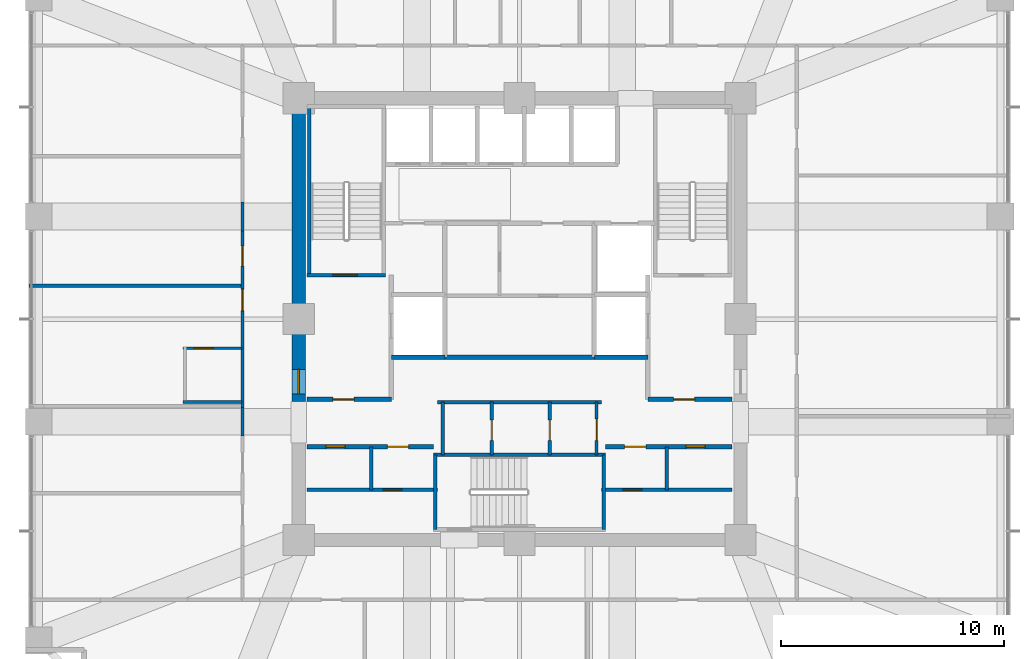
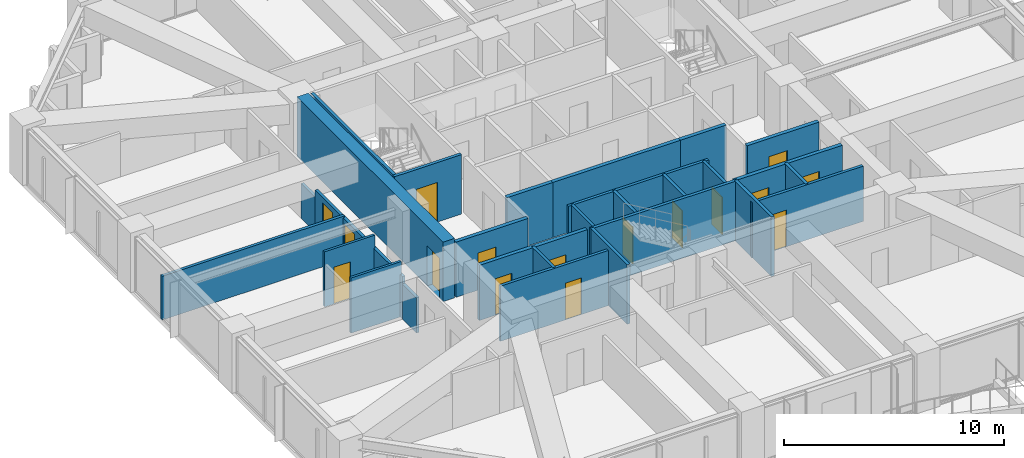
# One storey, part 33 of 37: 28 walls, 16 doors, 16 openings.
"""IFC4 building model written with IfcOpenShell, lengths in metres."""

from ifc_helpers import new_model, si_unit, direction, frame, frame_2d, origin, place, context, subcontext, project, spatial, rectangle, extrude, material, layer, layer_set, type_object, element, fill, save


model = new_model("IFC4")

# Units and contexts
model_context = context("Model", 3, precision=1e-05, world=origin(), true_north=direction((0.0, 1.0)))
body_context = subcontext(model_context, "Body", "Model", "MODEL_VIEW")
ifc_project = project(units=[si_unit("LENGTHUNIT", "METRE"), si_unit("AREAUNIT", "SQUARE_METRE"), si_unit("VOLUMEUNIT", "CUBIC_METRE"), si_unit("PLANEANGLEUNIT", "RADIAN"), si_unit("MASSUNIT", "GRAM", prefix="KILO")], contexts=[model_context])

# Site, building, storey
site_placement = place(None, origin())
site = spatial("IfcSite", under=ifc_project, at=site_placement, CompositionType="ELEMENT")
building_placement = place(site_placement, origin())
building = spatial("IfcBuilding", under=site, at=building_placement, Name="Kolvaren Belvedere", CompositionType="ELEMENT")
storey_placement = place(building_placement, frame((0.0, 0.0, 37.0)))
storey = spatial("IfcBuildingStorey", under=building, at=storey_placement, Name="L10", CompositionType="ELEMENT", Elevation=37.0)

# Wall, opening, door
ifc_material_1 = material(Name="Concrete C60/75", Category="concrete")
ifc_layer_1 = layer(ifc_material_1, 0.60009765625)
ifc_layer_set_1 = layer_set([ifc_layer_1], Name="Concrete C60/75")
wall_type_1 = type_object("IfcWallType", Name="CW-CORE-600", PredefinedType="SHEAR", material=ifc_layer_set_1)
wall_1_placement = place(storey_placement, frame((-9.89990234375, -3.699951171875, 0.0), z_axis=(0.0, 0.0, 1.0), x_axis=(0.0, 1.0, 0.0)))
wall_1 = element("IfcWall", 1, at=wall_1_placement, inside=storey, type_object=wall_type_1, Name="L10 West Core Shear Wall 2", PredefinedType="SHEAR", context=body_context, shape_type="SweptSolid", body=[
    extrude(rectangle(XDim=13.300048828125, YDim=0.60009765625, at=frame_2d((6.64990234375, 0.0))), origin(), (0.0, 0.0, 1.0), 3.300048828125),
])
opening_1_placement = place(wall_1_placement, frame((0.35009765625, 0.0, 0.0)))
opening_1 = element("IfcOpeningElement", 2, at=opening_1_placement, cuts=wall_1, Name="Opening D-FD90", PredefinedType="OPENING", context=body_context, shape_type="SweptSolid", body=[
    extrude(rectangle(XDim=1.10009765625, YDim=2.199951171875, at=frame_2d((0.550048828125, 1.10009765625))), frame((0.0, 0.31005859375, 0.0), z_axis=(0.0, -1.0, 0.0), x_axis=(1.0, 0.0, 0.0)), (0.0, 0.0, 1.0), 0.6201171875),
])
ifc_material_2 = material(Name="Painted hollow stainless steel", Category="steel")
door_type_1 = type_object("IfcDoorType", Name="DR-FD90-1100", OperationType="NOTDEFINED", PredefinedType="DOOR", material=ifc_material_2)
door_1_placement = place(opening_1_placement, origin())
door_1 = element("IfcDoor", 3, at=door_1_placement, inside=storey, type_object=door_type_1, Name="L10 West Firefighting Lobby Fire Door", OperationType="SINGLE_SWING_LEFT", OverallHeight=2.199951171875, OverallWidth=1.10009765625, PredefinedType="DOOR", context=body_context, shape_type="SweptSolid", body=[
    extrude(rectangle(XDim=1.10009765625, YDim=2.199951171875, at=frame_2d((0.550048828125, 1.10009765625))), frame((0.0, 0.02490234375, 0.0), z_axis=(0.0, -1.0, 0.0), x_axis=(1.0, 0.0, 0.0)), (0.0, 0.0, 1.0), 0.050048828125),
])
fill(opening_1, door_1)

ifc_material_3 = material(Name="Concrete C50/60", Category="concrete")
ifc_layer_2 = layer(ifc_material_3, 0.159912109375)
ifc_layer_set_2 = layer_set([ifc_layer_2], Name="Concrete C50/60")
wall_type_2 = type_object("IfcWallType", Name="CW-STAIR-160", PredefinedType="SHEAR", material=ifc_layer_set_2)
wall_2_placement = place(storey_placement, frame((-9.52001953125, 1.969970703125, 0.0), z_axis=(0.0, 0.0, 1.0), x_axis=(1.0, 0.0, 0.0)))
wall_2 = element("IfcWall", 4, at=wall_2_placement, inside=storey, type_object=wall_type_2, Name="L10 Stair ST-1 South Shear Wall", PredefinedType="SHEAR", context=body_context, shape_type="SweptSolid", body=[
    extrude(rectangle(XDim=3.52001953125, YDim=0.159912109375, at=frame_2d((1.760009765625, 0.0))), origin(), (0.0, 0.0, 1.0), 3.300048828125),
])
opening_2_placement = place(wall_2_placement, frame((1.14990234375, 0.0, 0.0)))
opening_2 = element("IfcOpeningElement", 5, at=opening_2_placement, cuts=wall_2, Name="Opening D-FD90", PredefinedType="OPENING", context=body_context, shape_type="SweptSolid", body=[
    extrude(rectangle(XDim=1.10009765625, YDim=2.199951171875, at=frame_2d((0.550048828125, 1.10009765625))), frame((0.0, 0.08984375, 0.0), z_axis=(0.0, -1.0, 0.0), x_axis=(1.0, 0.0, 0.0)), (0.0, 0.0, 1.0), 0.179931640625),
])
door_2_placement = place(opening_2_placement, origin())
door_2 = element("IfcDoor", 6, at=door_2_placement, inside=storey, type_object=door_type_1, Name="L10 Stair ST-1 Fire Door", OperationType="SINGLE_SWING_LEFT", OverallHeight=2.199951171875, OverallWidth=1.10009765625, PredefinedType="DOOR", context=body_context, shape_type="SweptSolid", body=[
    extrude(rectangle(XDim=1.10009765625, YDim=2.199951171875, at=frame_2d((0.550048828125, 1.10009765625))), frame((0.0, 0.02490234375, 0.0), z_axis=(0.0, -1.0, 0.0), x_axis=(1.0, 0.0, 0.0)), (0.0, 0.0, 1.0), 0.050048828125),
])
fill(opening_2, door_2)

# Walls
wall_3_placement = place(storey_placement, frame((-9.429931640625, 1.969970703125, 0.0), z_axis=(0.0, 0.0, 1.0), x_axis=(0.0, 1.0, 0.0)))
element("IfcWall", 7, at=wall_3_placement, inside=storey, type_object=wall_type_2, Name="L10 Stair ST-1 West Shear Wall", PredefinedType="SHEAR", context=body_context, shape_type="SweptSolid", body=[
    extrude(rectangle(XDim=7.56005859375, YDim=0.159912109375, at=frame_2d((3.780029296875, 0.0))), origin(), (0.0, 0.0, 1.0), 3.300048828125),
])
wall_4_placement = place(storey_placement, frame((-3.860107421875, -6.080078125, 0.0), z_axis=(0.0, 0.0, 1.0), x_axis=(1.0, 0.0, 0.0)))
element("IfcWall", 8, at=wall_4_placement, inside=storey, type_object=wall_type_2, Name="L10 Stair ST-3 North Shear Wall", PredefinedType="SHEAR", context=body_context, shape_type="SweptSolid", body=[
    extrude(rectangle(XDim=7.72021484375, YDim=0.159912109375, at=frame_2d((3.860107421875, 0.0))), origin(), (0.0, 0.0, 1.0), 3.300048828125),
])
for number, where, z_axis, x_axis, name in (
    (9, (-3.780029296875, -9.429931640625, 0.0), (0.0, 0.0, 1.0), (0.0, 1.0, 0.0), "L10 Stair ST-3 West Shear Wall"),
    (10, (3.780029296875, -9.429931640625, 0.0), (0.0, 0.0, 1.0), (0.0, 1.0, 0.0), "L10 Stair ST-3 East Shear Wall"),
):
    element("IfcWall", number, at=place(storey_placement, frame(where, z_axis=z_axis, x_axis=x_axis)), inside=storey, type_object=wall_type_2, Name=name, PredefinedType="SHEAR", context=body_context, shape_type="SweptSolid", body=[
        extrude(rectangle(XDim=3.349853515625, YDim=0.159912109375, at=frame_2d((1.6748046875, 0.0))), origin(), (0.0, 0.0, 1.0), 3.300048828125),
    ])
ifc_material_4 = material(Name="Gypsum fire-rated partition assembly", Category="gypsum")
ifc_layer_3 = layer(ifc_material_4, 0.14990234375)
ifc_layer_set_3 = layer_set([ifc_layer_3], Name="Gypsum fire-rated partition assembly")
wall_type_3 = type_object("IfcWallType", Name="WL-CORR-150", PredefinedType="PARTITIONING", material=ifc_layer_set_3)
wall_5_placement = place(storey_placement, frame((-12.419921875, -5.241943359375, 0.0), z_axis=(0.0, 0.0, 1.0), x_axis=(0.0, 1.0, 0.0)))
element("IfcWall", 11, at=wall_5_placement, inside=storey, type_object=wall_type_3, Name="L10 West Corridor Wall", PredefinedType="PARTITIONING", context=body_context, shape_type="SweptSolid", body=[
    extrude(rectangle(XDim=1.283935546875, YDim=0.14990234375, at=frame_2d((0.64208984375, 0.0))), origin(), (0.0, 0.0, 1.0), 1.945068359375),
])

# Wall, openings, doors
wall_6_placement = place(storey_placement, frame((-12.419921875, -3.9580078125, 0.0), z_axis=(0.0, 0.0, 1.0), x_axis=(0.0, 1.0, 0.0)))
wall_6 = element("IfcWall", 12, at=wall_6_placement, inside=storey, type_object=wall_type_3, Name="L10 West Corridor Wall", PredefinedType="PARTITIONING", context=body_context, shape_type="SweptSolid", body=[
    extrude(rectangle(XDim=7.916015625, YDim=0.14990234375, at=frame_2d((3.9580078125, 0.0))), origin(), (0.0, 0.0, 1.0), 2.34912109375),
])
opening_3_placement = place(wall_6_placement, frame((4.338623046875, 0.0, 0.0)))
opening_3 = element("IfcOpeningElement", 13, at=opening_3_placement, cuts=wall_6, Name="Opening D-FD60", PredefinedType="OPENING", context=body_context, shape_type="SweptSolid", body=[
    extrude(rectangle(XDim=0.949951171875, YDim=2.06005859375, at=frame_2d((0.47509765625, 1.030029296875))), frame((0.0, 0.0849609375, 0.0), z_axis=(0.0, -1.0, 0.0), x_axis=(1.0, 0.0, 0.0)), (0.0, 0.0, 1.0), 0.169921875),
])
opening_4_placement = place(wall_6_placement, frame((6.33349609375, 0.0, 0.0)))
opening_4 = element("IfcOpeningElement", 14, at=opening_4_placement, cuts=wall_6, Name="Opening D-INT90", PredefinedType="OPENING", context=body_context, shape_type="SweptSolid", body=[
    extrude(rectangle(XDim=0.89990234375, YDim=2.06005859375, at=frame_2d((0.449951171875, 1.030029296875))), frame((0.0, 0.0849609375, 0.0), z_axis=(0.0, -1.0, 0.0), x_axis=(1.0, 0.0, 0.0)), (0.0, 0.0, 1.0), 0.169921875),
])
ifc_material_5 = material(Name="Acoustic white-oak fire door leaf", Category="timber")
door_type_2 = type_object("IfcDoorType", Name="DR-FD60-950", OperationType="NOTDEFINED", PredefinedType="DOOR", material=ifc_material_5)
door_3_placement = place(opening_3_placement, origin())
door_3 = element("IfcDoor", 15, at=door_3_placement, inside=storey, type_object=door_type_2, Name="L10 King Guest Room 1009 Entry Door", OperationType="SINGLE_SWING_LEFT", OverallHeight=2.06005859375, OverallWidth=0.949951171875, PredefinedType="DOOR", context=body_context, shape_type="SweptSolid", body=[
    extrude(rectangle(XDim=0.949951171875, YDim=2.06005859375, at=frame_2d((0.47509765625, 1.030029296875))), frame((0.0, 0.02490234375, 0.0), z_axis=(0.0, -1.0, 0.0), x_axis=(1.0, 0.0, 0.0)), (0.0, 0.0, 1.0), 0.050048828125),
])
fill(opening_3, door_3)
ifc_material_6 = material(Name="Stained Pacific white oak", Category="timber")
door_type_3 = type_object("IfcDoorType", Name="DR-INT-900", OperationType="NOTDEFINED", PredefinedType="DOOR", material=ifc_material_6)
door_4_placement = place(opening_4_placement, origin())
door_4 = element("IfcDoor", 16, at=door_4_placement, inside=storey, type_object=door_type_3, Name="L10 Lounge 1010 Door", OperationType="SINGLE_SWING_RIGHT", OverallHeight=2.06005859375, OverallWidth=0.89990234375, PredefinedType="DOOR", context=body_context, shape_type="SweptSolid", body=[
    extrude(rectangle(XDim=0.89990234375, YDim=2.06005859375, at=frame_2d((0.449951171875, 1.030029296875))), frame((0.0, 0.02490234375, 0.0), z_axis=(0.0, -1.0, 0.0), x_axis=(1.0, 0.0, 0.0)), (0.0, 0.0, 1.0), 0.050048828125),
])
fill(opening_4, door_4)

# Wall
wall_7_placement = place(storey_placement, frame((-12.419921875, 3.9580078125, 0.0), z_axis=(0.0, 0.0, 1.0), x_axis=(0.0, 1.0, 0.0)))
element("IfcWall", 17, at=wall_7_placement, inside=storey, type_object=wall_type_3, Name="L10 West Corridor Wall", PredefinedType="PARTITIONING", context=body_context, shape_type="SweptSolid", body=[
    extrude(rectangle(XDim=1.283935546875, YDim=0.14990234375, at=frame_2d((0.64208984375, 0.0))), origin(), (0.0, 0.0, 1.0), 1.945068359375),
])

# Wall, opening, door
ifc_material_7 = material(Name="Gypsum acoustic partition assembly", Category="gypsum")
ifc_layer_4 = layer(ifc_material_7, 0.14990234375)
ifc_layer_set_4 = layer_set([ifc_layer_4], Name="Gypsum acoustic partition assembly")
wall_type_4 = type_object("IfcWallType", Name="WL-PART-150", PredefinedType="PARTITIONING", material=ifc_layer_set_4)
wall_8_placement = place(storey_placement, frame((-9.52001953125, -7.64990234375, 0.0), z_axis=(0.0, 0.0, 1.0), x_axis=(1.0, 0.0, 0.0)))
wall_8 = element("IfcWall", 18, at=wall_8_placement, inside=storey, type_object=wall_type_4, Name="L10 SW Core H-Divider", PredefinedType="PARTITIONING", context=body_context, shape_type="SweptSolid", body=[
    extrude(rectangle(XDim=5.840087890625, YDim=0.14990234375, at=frame_2d((2.919921875, 0.0))), origin(), (0.0, 0.0, 1.0), 3.06005859375),
])
opening_5_placement = place(wall_8_placement, frame((3.39990234375, 0.0, 0.0)))
opening_5 = element("IfcOpeningElement", 19, at=opening_5_placement, cuts=wall_8, Name="Opening D-INT85", PredefinedType="OPENING", context=body_context, shape_type="SweptSolid", body=[
    extrude(rectangle(XDim=0.85009765625, YDim=2.030029296875, at=frame_2d((0.425048828125, 1.01513671875))), frame((0.0, 0.0849609375, 0.0), z_axis=(0.0, -1.0, 0.0), x_axis=(1.0, 0.0, 0.0)), (0.0, 0.0, 1.0), 0.169921875),
])
ifc_material_8 = material(Name="Stained Pacific white oak", Category="timber")
door_type_4 = type_object("IfcDoorType", Name="DR-INT-850", OperationType="NOTDEFINED", PredefinedType="DOOR", material=ifc_material_8)
door_5_placement = place(opening_5_placement, origin())
door_5 = element("IfcDoor", 20, at=door_5_placement, inside=storey, type_object=door_type_4, Name="L10 SW Archive Door", OperationType="SINGLE_SWING_LEFT", OverallHeight=2.030029296875, OverallWidth=0.85009765625, PredefinedType="DOOR", context=body_context, shape_type="SweptSolid", body=[
    extrude(rectangle(XDim=0.85009765625, YDim=2.030029296875, at=frame_2d((0.425048828125, 1.01513671875))), frame((0.0, 0.02490234375, 0.0), z_axis=(0.0, -1.0, 0.0), x_axis=(1.0, 0.0, 0.0)), (0.0, 0.0, 1.0), 0.050048828125),
])
fill(opening_5, door_5)

# Wall
wall_9_placement = place(storey_placement, frame((-6.64990234375, -7.64990234375, 0.0), z_axis=(0.0, 0.0, 1.0), x_axis=(0.0, 1.0, 0.0)))
element("IfcWall", 21, at=wall_9_placement, inside=storey, type_object=wall_type_4, Name="L10 SW Core V-Divider", PredefinedType="PARTITIONING", context=body_context, shape_type="SweptSolid", body=[
    extrude(rectangle(XDim=1.929931640625, YDim=0.14990234375, at=frame_2d((0.96484375, 0.0))), origin(), (0.0, 0.0, 1.0), 3.06005859375),
])

# Wall, opening, door
wall_10_placement = place(storey_placement, frame((3.679931640625, -7.64990234375, 0.0), z_axis=(0.0, 0.0, 1.0), x_axis=(1.0, 0.0, 0.0)))
wall_10 = element("IfcWall", 22, at=wall_10_placement, inside=storey, type_object=wall_type_4, Name="L10 SE Core H-Divider", PredefinedType="PARTITIONING", context=body_context, shape_type="SweptSolid", body=[
    extrude(rectangle(XDim=5.840087890625, YDim=0.14990234375, at=frame_2d((2.919921875, 0.0))), origin(), (0.0, 0.0, 1.0), 3.06005859375),
])
opening_6_placement = place(wall_10_placement, frame((0.949951171875, 0.0, 0.0)))
opening_6 = element("IfcOpeningElement", 23, at=opening_6_placement, cuts=wall_10, Name="Opening D-INT85", PredefinedType="OPENING", context=body_context, shape_type="SweptSolid", body=[
    extrude(rectangle(XDim=0.85009765625, YDim=2.030029296875, at=frame_2d((0.425048828125, 1.01513671875))), frame((0.0, 0.0849609375, 0.0), z_axis=(0.0, -1.0, 0.0), x_axis=(1.0, 0.0, 0.0)), (0.0, 0.0, 1.0), 0.169921875),
])
door_6_placement = place(opening_6_placement, origin())
door_6 = element("IfcDoor", 24, at=door_6_placement, inside=storey, type_object=door_type_4, Name="L10 SE Fibre Door", OperationType="SINGLE_SWING_RIGHT", OverallHeight=2.030029296875, OverallWidth=0.85009765625, PredefinedType="DOOR", context=body_context, shape_type="SweptSolid", body=[
    extrude(rectangle(XDim=0.85009765625, YDim=2.030029296875, at=frame_2d((0.425048828125, 1.01513671875))), frame((0.0, 0.02490234375, 0.0), z_axis=(0.0, -1.0, 0.0), x_axis=(1.0, 0.0, 0.0)), (0.0, 0.0, 1.0), 0.050048828125),
])
fill(opening_6, door_6)

# Walls
wall_11_placement = place(storey_placement, frame((6.60009765625, -7.64990234375, 0.0), z_axis=(0.0, 0.0, 1.0), x_axis=(0.0, 1.0, 0.0)))
element("IfcWall", 25, at=wall_11_placement, inside=storey, type_object=wall_type_4, Name="L10 SE Core V-Divider", PredefinedType="PARTITIONING", context=body_context, shape_type="SweptSolid", body=[
    extrude(rectangle(XDim=1.929931640625, YDim=0.14990234375, at=frame_2d((0.96484375, 0.0))), origin(), (0.0, 0.0, 1.0), 3.06005859375),
])
wall_12_placement = place(storey_placement, frame((-3.679931640625, -3.719970703125, 0.0), z_axis=(0.0, 0.0, 1.0), x_axis=(1.0, 0.0, 0.0)))
element("IfcWall", 26, at=wall_12_placement, inside=storey, type_object=wall_type_4, Name="L10 South Core Service North Wall", PredefinedType="PARTITIONING", context=body_context, shape_type="SweptSolid", body=[
    extrude(rectangle(XDim=7.35986328125, YDim=0.14990234375, at=frame_2d((3.679931640625, 0.0))), origin(), (0.0, 0.0, 1.0), 3.06005859375),
])

# Wall, opening, door
wall_13_placement = place(storey_placement, frame((3.449951171875, -6.080078125, 0.0), z_axis=(0.0, 0.0, 1.0), x_axis=(0.0, 1.0, 0.0)))
wall_13 = element("IfcWall", 27, at=wall_13_placement, inside=storey, type_object=wall_type_4, Name="L10 South Core Service East Wall", PredefinedType="PARTITIONING", context=body_context, shape_type="SweptSolid", body=[
    extrude(rectangle(XDim=2.360107421875, YDim=0.14990234375, at=frame_2d((1.18017578125, 0.0))), origin(), (0.0, 0.0, 1.0), 3.06005859375),
])
opening_7_placement = place(wall_13_placement, frame((0.64990234375, 0.0, 0.0)))
opening_7 = element("IfcOpeningElement", 28, at=opening_7_placement, cuts=wall_13, Name="Opening D-FD60", PredefinedType="OPENING", context=body_context, shape_type="SweptSolid", body=[
    extrude(rectangle(XDim=0.949951171875, YDim=2.06005859375, at=frame_2d((0.47509765625, 1.030029296875))), frame((0.0, 0.0849609375, 0.0), z_axis=(0.0, -1.0, 0.0), x_axis=(1.0, 0.0, 0.0)), (0.0, 0.0, 1.0), 0.169921875),
])
door_7_placement = place(opening_7_placement, origin())
door_7 = element("IfcDoor", 29, at=door_7_placement, inside=storey, type_object=door_type_2, Name="L10 Core Service Room Door", OperationType="SINGLE_SWING_LEFT", OverallHeight=2.06005859375, OverallWidth=0.949951171875, PredefinedType="DOOR", context=body_context, shape_type="SweptSolid", body=[
    extrude(rectangle(XDim=0.949951171875, YDim=2.06005859375, at=frame_2d((0.47509765625, 1.030029296875))), frame((0.0, 0.02490234375, 0.0), z_axis=(0.0, -1.0, 0.0), x_axis=(1.0, 0.0, 0.0)), (0.0, 0.0, 1.0), 0.050048828125),
])
fill(opening_7, door_7)

# Wall
wall_14_placement = place(storey_placement, frame((-3.449951171875, -6.080078125, 0.0), z_axis=(0.0, 0.0, 1.0), x_axis=(0.0, 1.0, 0.0)))
element("IfcWall", 30, at=wall_14_placement, inside=storey, type_object=wall_type_4, Name="L10 South Core Service West Wall", PredefinedType="PARTITIONING", context=body_context, shape_type="SweptSolid", body=[
    extrude(rectangle(XDim=2.360107421875, YDim=0.14990234375, at=frame_2d((1.18017578125, 0.0))), origin(), (0.0, 0.0, 1.0), 3.06005859375),
])

# Wall, opening, door
wall_15_placement = place(storey_placement, frame((1.35009765625, -6.080078125, 0.0), z_axis=(0.0, 0.0, 1.0), x_axis=(0.0, 1.0, 0.0)))
wall_15 = element("IfcWall", 31, at=wall_15_placement, inside=storey, type_object=wall_type_4, Name="L10 Core Service Divider 1", PredefinedType="PARTITIONING", context=body_context, shape_type="SweptSolid", body=[
    extrude(rectangle(XDim=2.360107421875, YDim=0.14990234375, at=frame_2d((1.18017578125, 0.0))), origin(), (0.0, 0.0, 1.0), 3.06005859375),
])
opening_8_placement = place(wall_15_placement, frame((0.64990234375, 0.0, 0.0)))
opening_8 = element("IfcOpeningElement", 32, at=opening_8_placement, cuts=wall_15, Name="Opening D-INT90", PredefinedType="OPENING", context=body_context, shape_type="SweptSolid", body=[
    extrude(rectangle(XDim=0.89990234375, YDim=2.06005859375, at=frame_2d((0.449951171875, 1.030029296875))), frame((0.0, 0.0849609375, 0.0), z_axis=(0.0, -1.0, 0.0), x_axis=(1.0, 0.0, 0.0)), (0.0, 0.0, 1.0), 0.169921875),
])
door_8_placement = place(opening_8_placement, origin())
door_8 = element("IfcDoor", 33, at=door_8_placement, inside=storey, type_object=door_type_3, Name="L10 Data Closet Door", OperationType="SINGLE_SWING_RIGHT", OverallHeight=2.06005859375, OverallWidth=0.89990234375, PredefinedType="DOOR", context=body_context, shape_type="SweptSolid", body=[
    extrude(rectangle(XDim=0.89990234375, YDim=2.06005859375, at=frame_2d((0.449951171875, 1.030029296875))), frame((0.0, 0.02490234375, 0.0), z_axis=(0.0, -1.0, 0.0), x_axis=(1.0, 0.0, 0.0)), (0.0, 0.0, 1.0), 0.050048828125),
])
fill(opening_8, door_8)

wall_16_placement = place(storey_placement, frame((-1.25, -6.080078125, 0.0), z_axis=(0.0, 0.0, 1.0), x_axis=(0.0, 1.0, 0.0)))
wall_16 = element("IfcWall", 34, at=wall_16_placement, inside=storey, type_object=wall_type_4, Name="L10 Core Service Divider 2", PredefinedType="PARTITIONING", context=body_context, shape_type="SweptSolid", body=[
    extrude(rectangle(XDim=2.360107421875, YDim=0.14990234375, at=frame_2d((1.18017578125, 0.0))), origin(), (0.0, 0.0, 1.0), 3.06005859375),
])
opening_9_placement = place(wall_16_placement, frame((0.64990234375, 0.0, 0.0)))
opening_9 = element("IfcOpeningElement", 35, at=opening_9_placement, cuts=wall_16, Name="Opening D-INT90", PredefinedType="OPENING", context=body_context, shape_type="SweptSolid", body=[
    extrude(rectangle(XDim=0.89990234375, YDim=2.06005859375, at=frame_2d((0.449951171875, 1.030029296875))), frame((0.0, 0.0849609375, 0.0), z_axis=(0.0, -1.0, 0.0), x_axis=(1.0, 0.0, 0.0)), (0.0, 0.0, 1.0), 0.169921875),
])
door_9_placement = place(opening_9_placement, origin())
door_9 = element("IfcDoor", 36, at=door_9_placement, inside=storey, type_object=door_type_3, Name="L10 Janitor Room Door", OperationType="SINGLE_SWING_LEFT", OverallHeight=2.06005859375, OverallWidth=0.89990234375, PredefinedType="DOOR", context=body_context, shape_type="SweptSolid", body=[
    extrude(rectangle(XDim=0.89990234375, YDim=2.06005859375, at=frame_2d((0.449951171875, 1.030029296875))), frame((0.0, 0.02490234375, 0.0), z_axis=(0.0, -1.0, 0.0), x_axis=(1.0, 0.0, 0.0)), (0.0, 0.0, 1.0), 0.050048828125),
])
fill(opening_9, door_9)

# Wall
wall_17_placement = place(storey_placement, frame((-21.97998046875, 1.49609375, 0.0), z_axis=(0.0, 0.0, 1.0), x_axis=(1.0, 0.0, 0.0)))
element("IfcWall", 37, at=wall_17_placement, inside=storey, type_object=wall_type_4, Name="L10 West Suite Demising Wall 3", PredefinedType="PARTITIONING", context=body_context, shape_type="SweptSolid", body=[
    extrude(rectangle(XDim=9.56005859375, YDim=0.14990234375, at=frame_2d((4.780029296875, 0.0))), origin(), (0.0, 0.0, 1.0), 2.428955078125),
])

# Wall, opening, door
ifc_material_9 = material(Name="Concrete C50/60", Category="concrete")
ifc_layer_5 = layer(ifc_material_9, 0.199951171875)
ifc_layer_set_5 = layer_set([ifc_layer_5], Name="Concrete C50/60")
wall_type_5 = type_object("IfcWallType", Name="WL-SHAFT-200", PredefinedType="SOLIDWALL", material=ifc_layer_set_5)
wall_18_placement = place(storey_placement, frame((-9.52001953125, -3.60009765625, 0.0), z_axis=(0.0, 0.0, 1.0), x_axis=(1.0, 0.0, 0.0)))
wall_18 = element("IfcWall", 38, at=wall_18_placement, inside=storey, type_object=wall_type_5, Name="L10 West FSAE Lobby South Wall", PredefinedType="SOLIDWALL", context=body_context, shape_type="SweptSolid", body=[
    extrude(rectangle(XDim=3.77001953125, YDim=0.199951171875, at=frame_2d((1.885009765625, 0.0))), origin(), (0.0, 0.0, 1.0), 3.06005859375),
])
opening_10_placement = place(wall_18_placement, frame((1.14990234375, 0.0, 0.0)))
opening_10 = element("IfcOpeningElement", 39, at=opening_10_placement, cuts=wall_18, Name="Opening D-FD60", PredefinedType="OPENING", context=body_context, shape_type="SweptSolid", body=[
    extrude(rectangle(XDim=0.949951171875, YDim=2.06005859375, at=frame_2d((0.47509765625, 1.030029296875))), frame((0.0, 0.10986328125, 0.0), z_axis=(0.0, -1.0, 0.0), x_axis=(1.0, 0.0, 0.0)), (0.0, 0.0, 1.0), 0.219970703125),
])
door_10_placement = place(opening_10_placement, origin())
door_10 = element("IfcDoor", 40, at=door_10_placement, inside=storey, type_object=door_type_2, Name="L10 SW Lift Lobby Fire Door", OperationType="SINGLE_SWING_LEFT", OverallHeight=2.06005859375, OverallWidth=0.949951171875, PredefinedType="DOOR", context=body_context, shape_type="SweptSolid", body=[
    extrude(rectangle(XDim=0.949951171875, YDim=2.06005859375, at=frame_2d((0.47509765625, 1.030029296875))), frame((0.0, 0.02490234375, 0.0), z_axis=(0.0, -1.0, 0.0), x_axis=(1.0, 0.0, 0.0)), (0.0, 0.0, 1.0), 0.050048828125),
])
fill(opening_10, door_10)

# Wall
wall_19_placement = place(storey_placement, frame((-5.75, -1.699951171875, 0.0), z_axis=(0.0, 0.0, 1.0), x_axis=(1.0, 0.0, 0.0)))
element("IfcWall", 41, at=wall_19_placement, inside=storey, type_object=wall_type_5, Name="L10 FSAE FS1 South Wall", PredefinedType="SOLIDWALL", context=body_context, shape_type="SweptSolid", body=[
    extrude(rectangle(XDim=2.39990234375, YDim=0.199951171875, at=frame_2d((1.199951171875, 0.0))), origin(), (0.0, 0.0, 1.0), 3.06005859375),
])

# Wall, opening, door
wall_20_placement = place(storey_placement, frame((5.75, -3.60009765625, 0.0), z_axis=(0.0, 0.0, 1.0), x_axis=(1.0, 0.0, 0.0)))
wall_20 = element("IfcWall", 42, at=wall_20_placement, inside=storey, type_object=wall_type_5, Name="L10 East FSAE Lobby South Wall", PredefinedType="SOLIDWALL", context=body_context, shape_type="SweptSolid", body=[
    extrude(rectangle(XDim=3.77001953125, YDim=0.199951171875, at=frame_2d((1.885009765625, 0.0))), origin(), (0.0, 0.0, 1.0), 3.06005859375),
])
opening_11_placement = place(wall_20_placement, frame((1.14990234375, 0.0, 0.0)))
opening_11 = element("IfcOpeningElement", 43, at=opening_11_placement, cuts=wall_20, Name="Opening D-FD60", PredefinedType="OPENING", context=body_context, shape_type="SweptSolid", body=[
    extrude(rectangle(XDim=0.949951171875, YDim=2.06005859375, at=frame_2d((0.47509765625, 1.030029296875))), frame((0.0, 0.10986328125, 0.0), z_axis=(0.0, -1.0, 0.0), x_axis=(1.0, 0.0, 0.0)), (0.0, 0.0, 1.0), 0.219970703125),
])
door_11_placement = place(opening_11_placement, origin())
door_11 = element("IfcDoor", 44, at=door_11_placement, inside=storey, type_object=door_type_2, Name="L10 SE Lift Lobby Fire Door", OperationType="SINGLE_SWING_RIGHT", OverallHeight=2.06005859375, OverallWidth=0.949951171875, PredefinedType="DOOR", context=body_context, shape_type="SweptSolid", body=[
    extrude(rectangle(XDim=0.949951171875, YDim=2.06005859375, at=frame_2d((0.47509765625, 1.030029296875))), frame((0.0, 0.02490234375, 0.0), z_axis=(0.0, -1.0, 0.0), x_axis=(1.0, 0.0, 0.0)), (0.0, 0.0, 1.0), 0.050048828125),
])
fill(opening_11, door_11)

# Wall
wall_21_placement = place(storey_placement, frame((3.35009765625, -1.699951171875, 0.0), z_axis=(0.0, 0.0, 1.0), x_axis=(1.0, 0.0, 0.0)))
element("IfcWall", 45, at=wall_21_placement, inside=storey, type_object=wall_type_5, Name="L10 FSAE FS2 South Wall", PredefinedType="SOLIDWALL", context=body_context, shape_type="SweptSolid", body=[
    extrude(rectangle(XDim=2.39990234375, YDim=0.199951171875, at=frame_2d((1.199951171875, 0.0))), origin(), (0.0, 0.0, 1.0), 3.06005859375),
])

# Wall, openings, doors
wall_22_placement = place(storey_placement, frame((-9.52001953125, -5.719970703125, 0.0), z_axis=(0.0, 0.0, 1.0), x_axis=(1.0, 0.0, 0.0)))
wall_22 = element("IfcWall", 46, at=wall_22_placement, inside=storey, type_object=wall_type_5, Name="L10 SW Core Reserve Wall", PredefinedType="SOLIDWALL", context=body_context, shape_type="SweptSolid", body=[
    extrude(rectangle(XDim=5.659912109375, YDim=0.199951171875, at=frame_2d((2.830078125, 0.0))), origin(), (0.0, 0.0, 1.0), 3.06005859375),
])
opening_12_placement = place(wall_22_placement, frame((3.60009765625, 0.0, 0.0)))
opening_12 = element("IfcOpeningElement", 47, at=opening_12_placement, cuts=wall_22, Name="Opening D-FD60", PredefinedType="OPENING", context=body_context, shape_type="SweptSolid", body=[
    extrude(rectangle(XDim=0.949951171875, YDim=2.06005859375, at=frame_2d((0.47509765625, 1.030029296875))), frame((0.0, 0.10986328125, 0.0), z_axis=(0.0, -1.0, 0.0), x_axis=(1.0, 0.0, 0.0)), (0.0, 0.0, 1.0), 0.219970703125),
])
opening_13_placement = place(wall_22_placement, frame((0.85009765625, 0.0, 0.0)))
opening_13 = element("IfcOpeningElement", 48, at=opening_13_placement, cuts=wall_22, Name="Opening D-INT85", PredefinedType="OPENING", context=body_context, shape_type="SweptSolid", body=[
    extrude(rectangle(XDim=0.85009765625, YDim=2.030029296875, at=frame_2d((0.425048828125, 1.01513671875))), frame((0.0, 0.10986328125, 0.0), z_axis=(0.0, -1.0, 0.0), x_axis=(1.0, 0.0, 0.0)), (0.0, 0.0, 1.0), 0.219970703125),
])
door_12_placement = place(opening_12_placement, origin())
door_12 = element("IfcDoor", 49, at=door_12_placement, inside=storey, type_object=door_type_2, Name="L10 SW Pantry Door", OperationType="SINGLE_SWING_LEFT", OverallHeight=2.06005859375, OverallWidth=0.949951171875, PredefinedType="DOOR", context=body_context, shape_type="SweptSolid", body=[
    extrude(rectangle(XDim=0.949951171875, YDim=2.06005859375, at=frame_2d((0.47509765625, 1.030029296875))), frame((0.0, 0.02490234375, 0.0), z_axis=(0.0, -1.0, 0.0), x_axis=(1.0, 0.0, 0.0)), (0.0, 0.0, 1.0), 0.050048828125),
])
fill(opening_12, door_12)
door_13_placement = place(opening_13_placement, origin())
door_13 = element("IfcDoor", 50, at=door_13_placement, inside=storey, type_object=door_type_4, Name="L10 SW Linen Door", OperationType="SINGLE_SWING_RIGHT", OverallHeight=2.030029296875, OverallWidth=0.85009765625, PredefinedType="DOOR", context=body_context, shape_type="SweptSolid", body=[
    extrude(rectangle(XDim=0.85009765625, YDim=2.030029296875, at=frame_2d((0.425048828125, 1.01513671875))), frame((0.0, 0.02490234375, 0.0), z_axis=(0.0, -1.0, 0.0), x_axis=(1.0, 0.0, 0.0)), (0.0, 0.0, 1.0), 0.050048828125),
])
fill(opening_13, door_13)

wall_23_placement = place(storey_placement, frame((3.860107421875, -5.719970703125, 0.0), z_axis=(0.0, 0.0, 1.0), x_axis=(1.0, 0.0, 0.0)))
wall_23 = element("IfcWall", 51, at=wall_23_placement, inside=storey, type_object=wall_type_5, Name="L10 SE Core Distribution Wall", PredefinedType="SOLIDWALL", context=body_context, shape_type="SweptSolid", body=[
    extrude(rectangle(XDim=5.659912109375, YDim=0.199951171875, at=frame_2d((2.830078125, 0.0))), origin(), (0.0, 0.0, 1.0), 3.06005859375),
])
opening_14_placement = place(wall_23_placement, frame((0.85009765625, 0.0, 0.0)))
opening_14 = element("IfcOpeningElement", 52, at=opening_14_placement, cuts=wall_23, Name="Opening D-FD60", PredefinedType="OPENING", context=body_context, shape_type="SweptSolid", body=[
    extrude(rectangle(XDim=0.949951171875, YDim=2.06005859375, at=frame_2d((0.47509765625, 1.030029296875))), frame((0.0, 0.10986328125, 0.0), z_axis=(0.0, -1.0, 0.0), x_axis=(1.0, 0.0, 0.0)), (0.0, 0.0, 1.0), 0.219970703125),
])
opening_15_placement = place(wall_23_placement, frame((3.60009765625, 0.0, 0.0)))
opening_15 = element("IfcOpeningElement", 53, at=opening_15_placement, cuts=wall_23, Name="Opening D-INT85", PredefinedType="OPENING", context=body_context, shape_type="SweptSolid", body=[
    extrude(rectangle(XDim=0.85009765625, YDim=2.030029296875, at=frame_2d((0.425048828125, 1.01513671875))), frame((0.0, 0.10986328125, 0.0), z_axis=(0.0, -1.0, 0.0), x_axis=(1.0, 0.0, 0.0)), (0.0, 0.0, 1.0), 0.219970703125),
])
door_14_placement = place(opening_14_placement, origin())
door_14 = element("IfcDoor", 54, at=door_14_placement, inside=storey, type_object=door_type_2, Name="L10 SE Pantry Door", OperationType="SINGLE_SWING_RIGHT", OverallHeight=2.06005859375, OverallWidth=0.949951171875, PredefinedType="DOOR", context=body_context, shape_type="SweptSolid", body=[
    extrude(rectangle(XDim=0.949951171875, YDim=2.06005859375, at=frame_2d((0.47509765625, 1.030029296875))), frame((0.0, 0.02490234375, 0.0), z_axis=(0.0, -1.0, 0.0), x_axis=(1.0, 0.0, 0.0)), (0.0, 0.0, 1.0), 0.050048828125),
])
fill(opening_14, door_14)
door_15_placement = place(opening_15_placement, origin())
door_15 = element("IfcDoor", 55, at=door_15_placement, inside=storey, type_object=door_type_4, Name="L10 SE Linen Door", OperationType="SINGLE_SWING_LEFT", OverallHeight=2.030029296875, OverallWidth=0.85009765625, PredefinedType="DOOR", context=body_context, shape_type="SweptSolid", body=[
    extrude(rectangle(XDim=0.85009765625, YDim=2.030029296875, at=frame_2d((0.425048828125, 1.01513671875))), frame((0.0, 0.02490234375, 0.0), z_axis=(0.0, -1.0, 0.0), x_axis=(1.0, 0.0, 0.0)), (0.0, 0.0, 1.0), 0.050048828125),
])
fill(opening_15, door_15)

# Wall
wall_24_placement = place(storey_placement, frame((-3.35009765625, -1.699951171875, 0.0), z_axis=(0.0, 0.0, 1.0), x_axis=(1.0, 0.0, 0.0)))
element("IfcWall", 56, at=wall_24_placement, inside=storey, type_object=wall_type_5, Name="L10 Central Core Room South Wall", PredefinedType="SOLIDWALL", context=body_context, shape_type="SweptSolid", body=[
    extrude(rectangle(XDim=6.7001953125, YDim=0.199951171875, at=frame_2d((3.35009765625, 0.0))), origin(), (0.0, 0.0, 1.0), 3.06005859375),
])

# Wall, opening, door
ifc_material_10 = material(Name="Moisture-resistant gypsum partition", Category="gypsum")
ifc_layer_6 = layer(ifc_material_10, 0.125)
ifc_layer_set_6 = layer_set([ifc_layer_6], Name="Moisture-resistant gypsum partition")
wall_type_6 = type_object("IfcWallType", Name="WL-WET-125", PredefinedType="PARTITIONING", material=ifc_layer_set_6)
wall_25_placement = place(storey_placement, frame((-15.074951171875, -1.30908203125, 0.0), z_axis=(0.0, 0.0, 1.0), x_axis=(1.0, 0.0, 0.0)))
wall_25 = element("IfcWall", 57, at=wall_25_placement, inside=storey, type_object=wall_type_6, Name="L10 Bathroom Partition PW-L10-BTH-9-N", PredefinedType="PARTITIONING", context=body_context, shape_type="SweptSolid", body=[
    extrude(rectangle(XDim=2.639892578125, YDim=0.125, at=frame_2d((1.31982421875, 0.0))), origin(), (0.0, 0.0, 1.0), 3.06005859375),
])
opening_16_placement = place(wall_25_placement, frame((0.5, 0.0, 0.0)))
opening_16 = element("IfcOpeningElement", 58, at=opening_16_placement, cuts=wall_25, Name="Opening D-BTH85", PredefinedType="OPENING", context=body_context, shape_type="SweptSolid", body=[
    extrude(rectangle(XDim=0.85009765625, YDim=2.030029296875, at=frame_2d((0.425048828125, 1.01513671875))), frame((0.0, 0.072509765625, 0.0), z_axis=(0.0, -1.0, 0.0), x_axis=(1.0, 0.0, 0.0)), (0.0, 0.0, 1.0), 0.14501953125),
])
ifc_material_11 = material(Name="Moisture-sealed Pacific white oak", Category="timber")
door_type_5 = type_object("IfcDoorType", Name="DR-BATH-850", OperationType="NOTDEFINED", PredefinedType="DOOR", material=ifc_material_11)
door_16_placement = place(opening_16_placement, origin())
door_16 = element("IfcDoor", 59, at=door_16_placement, inside=storey, type_object=door_type_5, Name="L10 En-Suite Bathroom 1009 Door", OperationType="SINGLE_SWING_RIGHT", OverallHeight=2.030029296875, OverallWidth=0.85009765625, PredefinedType="DOOR", context=body_context, shape_type="SweptSolid", body=[
    extrude(rectangle(XDim=0.85009765625, YDim=2.030029296875, at=frame_2d((0.425048828125, 1.01513671875))), frame((0.0, 0.02490234375, 0.0), z_axis=(0.0, -1.0, 0.0), x_axis=(1.0, 0.0, 0.0)), (0.0, 0.0, 1.0), 0.050048828125),
])
fill(opening_16, door_16)

# Wall
wall_26_placement = place(storey_placement, frame((-15.074951171875, -3.708984375, 0.0), z_axis=(0.0, 0.0, 1.0), x_axis=(1.0, 0.0, 0.0)))
element("IfcWall", 60, at=wall_26_placement, inside=storey, type_object=wall_type_6, Name="L10 Bathroom Partition PW-L10-BTH-9-S", PredefinedType="PARTITIONING", context=body_context, shape_type="SweptSolid", body=[
    extrude(rectangle(XDim=2.639892578125, YDim=0.125, at=frame_2d((1.31982421875, 0.0))), origin(), (0.0, 0.0, 1.0), 3.06005859375),
])

save(model, "model.ifc")
